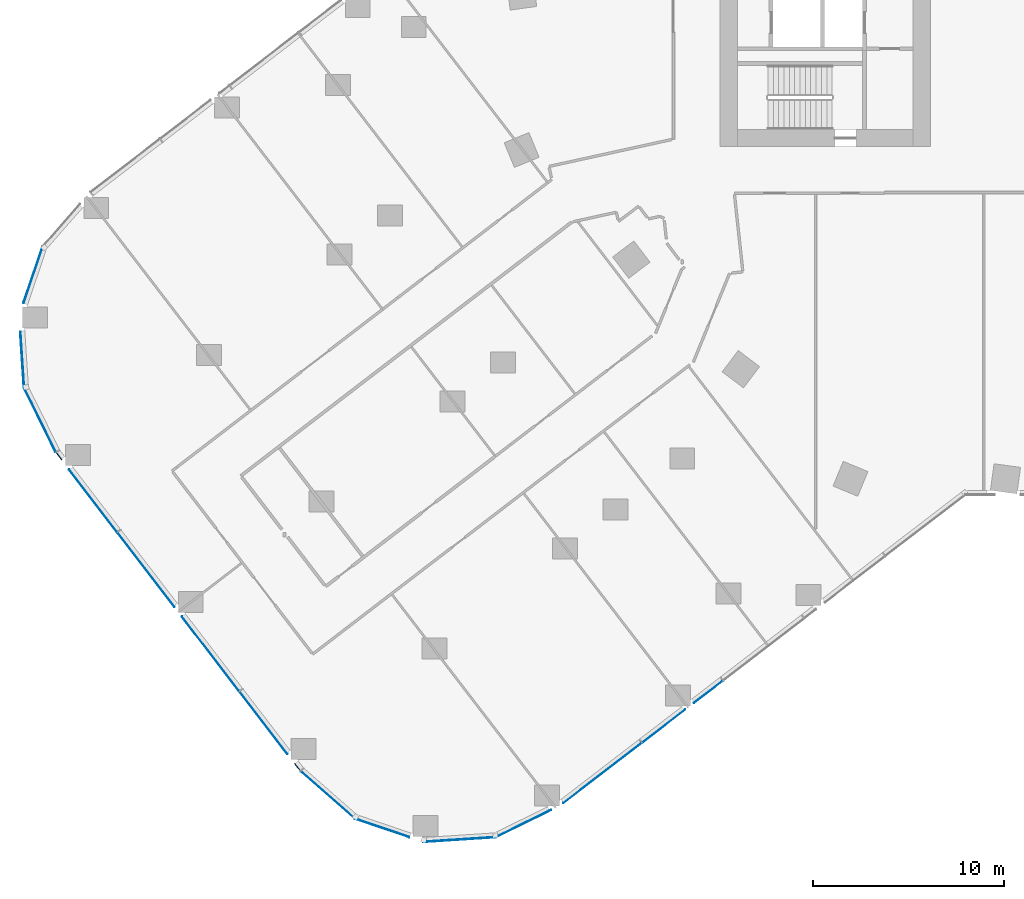
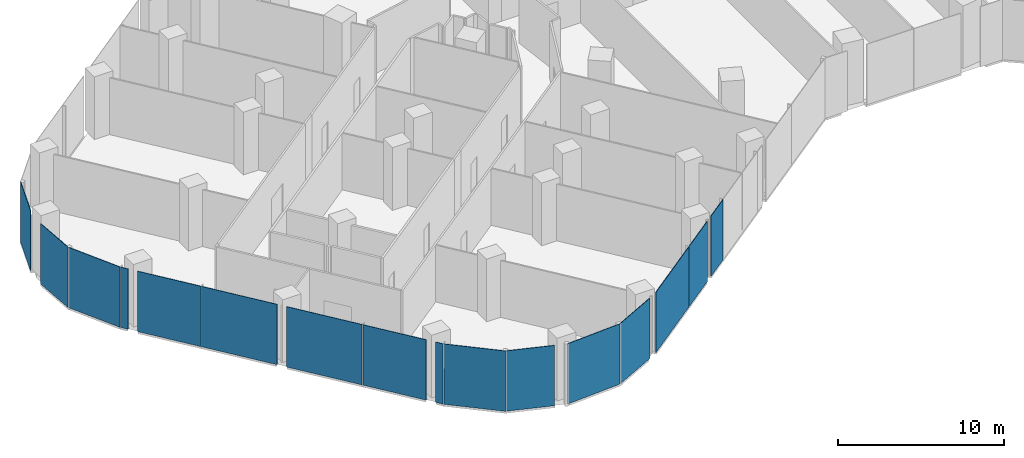
# One storey, part 15 of 30: 16 plates, 9 elements without a shape of their own.
"""IFC4 building model written with IfcOpenShell, lengths in metres."""

from ifc_helpers import new_model, si_unit, direction, frame, origin, origin_2d, place, context, subcontext, project, spatial, rectangle, extrude, material, layer, layer_set, type_object, element, aggregate, save


model = new_model("IFC4")

# Units and contexts
model_context = context("Model", 3, precision=1e-05, world=origin(), true_north=direction((0.0, 1.0)))
body_context = subcontext(model_context, "Body", "Model", "MODEL_VIEW")
ifc_project = project(units=[si_unit("LENGTHUNIT", "METRE"), si_unit("AREAUNIT", "SQUARE_METRE"), si_unit("VOLUMEUNIT", "CUBIC_METRE"), si_unit("PLANEANGLEUNIT", "RADIAN"), si_unit("MASSUNIT", "GRAM", prefix="KILO")], contexts=[model_context])

# Site, building, storey
site_placement = place(None, origin())
site = spatial("IfcSite", under=ifc_project, at=site_placement, CompositionType="ELEMENT")
building_placement = place(site_placement, origin())
building = spatial("IfcBuilding", under=site, at=building_placement, Name="Orlundy Tower", CompositionType="ELEMENT")
storey_placement = place(building_placement, frame((0.0, 0.0, 20.5)))
storey = spatial("IfcBuildingStorey", under=building, at=storey_placement, Name="L03", CompositionType="ELEMENT", Elevation=20.5)

# Curtain wall, plates
ifc_material_1 = material(Name="Aluminium bronze anodised", Category="aluminium")
curtain_wall_type = type_object("IfcCurtainWallType", Name="CW2 wall", PredefinedType="NOTDEFINED", material=ifc_material_1)
curtain_wall_1_placement = place(storey_placement, origin())
curtain_wall_1 = element("IfcCurtainWall", 1, at=curtain_wall_1_placement, inside=storey, type_object=curtain_wall_type, Name="CW2 run 02", PredefinedType="NOTDEFINED")
ifc_material_2 = material(Name="Tinted glass", Category="glass")
ifc_layer = layer(ifc_material_2, 0.0380859375)
ifc_layer_set = layer_set([ifc_layer], Name="CW2 glass panel 38")
plate_type = type_object("IfcPlateType", Name="CW2 glass panel 38", PredefinedType="CURTAIN_PANEL", material=ifc_layer_set)
plate_1_placement = place(storey_placement, frame((-19.620849609375, -40.556396484375, -0.25), z_axis=(0.0, 0.0, 1.0), x_axis=(-0.793352099111, -0.608763046543, 0.0)))
plate_1 = element("IfcPlate", 2, at=plate_1_placement, type_object=plate_type, Name="CW2 panel", PredefinedType="CURTAIN_PANEL", context=body_context, shape_type="SweptSolid", body=[
    extrude(rectangle(XDim=1.888671875, YDim=0.0380859375, at=origin_2d()), origin(), (0.0, 0.0, 1.0), 4.429931640625),
])
plate_2_placement = place(storey_placement, frame((-21.95703125, -42.34912109375, -0.25), z_axis=(0.0, 0.0, 1.0), x_axis=(-0.793352099111, -0.608763046543, 0.0)))
plate_2 = element("IfcPlate", 3, at=plate_2_placement, type_object=plate_type, Name="CW2 panel", PredefinedType="CURTAIN_PANEL", context=body_context, shape_type="SweptSolid", body=[
    extrude(rectangle(XDim=2.83544921875, YDim=0.0380859375, at=origin_2d()), origin(), (0.0, 0.0, 1.0), 4.429931640625),
])
plate_3_placement = place(storey_placement, frame((-25.171630859375, -44.815673828125, -0.25), z_axis=(0.0, 0.0, 1.0), x_axis=(-0.793352099111, -0.608763046543, 0.0)))
plate_3 = element("IfcPlate", 4, at=plate_3_placement, type_object=plate_type, Name="CW2 panel", PredefinedType="CURTAIN_PANEL", context=body_context, shape_type="SweptSolid", body=[
    extrude(rectangle(XDim=5.168701171875, YDim=0.0380859375, at=origin_2d()), origin(), (0.0, 0.0, 1.0), 4.429931640625),
])
aggregate(curtain_wall_1, [plate_1, plate_2, plate_3])

# Curtain wall, plate
curtain_wall_2_placement = place(storey_placement, origin())
curtain_wall_2 = element("IfcCurtainWall", 5, at=curtain_wall_2_placement, inside=storey, type_object=curtain_wall_type, Name="CW2 run 03", PredefinedType="NOTDEFINED")
plate_4_placement = place(storey_placement, frame((-29.3017578125, -47.455322265625, -0.25), z_axis=(0.0, 0.0, 1.0), x_axis=(-0.896841554905, -0.442351924824, 0.0)))
plate_4 = element("IfcPlate", 6, at=plate_4_placement, type_object=plate_type, Name="CW2 panel", PredefinedType="CURTAIN_PANEL", context=body_context, shape_type="SweptSolid", body=[
    extrude(rectangle(XDim=3.242919921875, YDim=0.0380859375, at=origin_2d()), origin(), (0.0, 0.0, 1.0), 4.429931640625),
])
aggregate(curtain_wall_2, [plate_4])

curtain_wall_3_placement = place(storey_placement, origin())
curtain_wall_3 = element("IfcCurtainWall", 7, at=curtain_wall_3_placement, inside=storey, type_object=curtain_wall_type, Name="CW2 run 04", PredefinedType="NOTDEFINED")
plate_5_placement = place(storey_placement, frame((-32.6513671875, -48.29638671875, -0.25), z_axis=(0.0, 0.0, 1.0), x_axis=(-0.997866755389, -0.065283523877, 0.0)))
plate_5 = element("IfcPlate", 8, at=plate_5_placement, type_object=plate_type, Name="CW2 panel", PredefinedType="CURTAIN_PANEL", context=body_context, shape_type="SweptSolid", body=[
    extrude(rectangle(XDim=3.798828125, YDim=0.0380859375, at=origin_2d()), origin(), (0.0, 0.0, 1.0), 4.429931640625),
])
aggregate(curtain_wall_3, [plate_5])

curtain_wall_4_placement = place(storey_placement, origin())
curtain_wall_4 = element("IfcCurtainWall", 9, at=curtain_wall_4_placement, inside=storey, type_object=curtain_wall_type, Name="CW2 run 05", PredefinedType="NOTDEFINED")
plate_6_placement = place(storey_placement, frame((-36.71533203125, -47.6845703125, -0.25), z_axis=(0.0, 0.0, 1.0), x_axis=(-0.946969904911, 0.32132226688, 0.0)))
plate_6 = element("IfcPlate", 10, at=plate_6_placement, type_object=plate_type, Name="CW2 panel", PredefinedType="CURTAIN_PANEL", context=body_context, shape_type="SweptSolid", body=[
    extrude(rectangle(XDim=3.016845703125, YDim=0.0380859375, at=origin_2d()), origin(), (0.0, 0.0, 1.0), 4.429931640625),
])
aggregate(curtain_wall_4, [plate_6])

curtain_wall_5_placement = place(storey_placement, origin())
curtain_wall_5 = element("IfcCurtainWall", 11, at=curtain_wall_5_placement, inside=storey, type_object=curtain_wall_type, Name="CW2 run 06", PredefinedType="NOTDEFINED")
plate_7_placement = place(storey_placement, frame((-39.5537109375, -45.963623046875, -0.25), z_axis=(0.0, 0.0, 1.0), x_axis=(-0.751857647447, 0.65932547196, 0.0)))
plate_7 = element("IfcPlate", 12, at=plate_7_placement, type_object=plate_type, Name="CW2 panel", PredefinedType="CURTAIN_PANEL", context=body_context, shape_type="SweptSolid", body=[
    extrude(rectangle(XDim=3.75048828125, YDim=0.0380859375, at=origin_2d()), origin(), (0.0, 0.0, 1.0), 4.429931640625),
])
aggregate(curtain_wall_5, [plate_7])

# Curtain wall, plates
curtain_wall_6_placement = place(storey_placement, origin())
curtain_wall_6 = element("IfcCurtainWall", 13, at=curtain_wall_6_placement, inside=storey, type_object=curtain_wall_type, Name="CW2 run 07", PredefinedType="NOTDEFINED")
plate_8_placement = place(storey_placement, frame((-41.146728515625, -44.496337890625, -0.25), z_axis=(0.0, 0.0, 1.0), x_axis=(-0.608748393046, 0.793363342967, 0.0)))
plate_8 = element("IfcPlate", 14, at=plate_8_placement, type_object=plate_type, Name="CW2 panel", PredefinedType="CURTAIN_PANEL", context=body_context, shape_type="SweptSolid", body=[
    extrude(rectangle(XDim=0.489990234375, YDim=0.0380859375, at=origin_2d()), origin(), (0.0, 0.0, 1.0), 4.429931640625),
])
plate_9_placement = place(storey_placement, frame((-42.925537109375, -42.17822265625, -0.25), z_axis=(0.0, 0.0, 1.0), x_axis=(-0.608748393046, 0.793363342967, 0.0)))
plate_9 = element("IfcPlate", 15, at=plate_9_placement, type_object=plate_type, Name="CW2 panel", PredefinedType="CURTAIN_PANEL", context=body_context, shape_type="SweptSolid", body=[
    extrude(rectangle(XDim=4.11181640625, YDim=0.0380859375, at=origin_2d()), origin(), (0.0, 0.0, 1.0), 4.429931640625),
])
plate_10_placement = place(storey_placement, frame((-45.704345703125, -38.556884765625, -0.25), z_axis=(0.0, 0.0, 1.0), x_axis=(-0.608748393046, 0.793363342967, 0.0)))
plate_10 = element("IfcPlate", 16, at=plate_10_placement, type_object=plate_type, Name="CW2 panel", PredefinedType="CURTAIN_PANEL", context=body_context, shape_type="SweptSolid", body=[
    extrude(rectangle(XDim=4.917724609375, YDim=0.0380859375, at=origin_2d()), origin(), (0.0, 0.0, 1.0), 4.429931640625),
])
plate_11_placement = place(storey_placement, frame((-49.073974609375, -34.1650390625, -0.25), z_axis=(0.0, 0.0, 1.0), x_axis=(-0.608748393046, 0.793363342967, 0.0)))
plate_11 = element("IfcPlate", 17, at=plate_11_placement, type_object=plate_type, Name="CW2 panel", PredefinedType="CURTAIN_PANEL", context=body_context, shape_type="SweptSolid", body=[
    extrude(rectangle(XDim=4.911865234375, YDim=0.0380859375, at=origin_2d()), origin(), (0.0, 0.0, 1.0), 4.429931640625),
])
plate_12_placement = place(storey_placement, frame((-51.8525390625, -30.5439453125, -0.25), z_axis=(0.0, 0.0, 1.0), x_axis=(-0.608748393046, 0.793363342967, 0.0)))
plate_12 = element("IfcPlate", 18, at=plate_12_placement, type_object=plate_type, Name="CW2 panel", PredefinedType="CURTAIN_PANEL", context=body_context, shape_type="SweptSolid", body=[
    extrude(rectangle(XDim=4.11669921875, YDim=0.0380859375, at=origin_2d()), origin(), (0.0, 0.0, 1.0), 4.429931640625),
])
plate_13_placement = place(storey_placement, frame((-53.630859375, -28.226318359375, -0.25), z_axis=(0.0, 0.0, 1.0), x_axis=(-0.608748393046, 0.793363342967, 0.0)))
plate_13 = element("IfcPlate", 19, at=plate_13_placement, type_object=plate_type, Name="CW2 panel", PredefinedType="CURTAIN_PANEL", context=body_context, shape_type="SweptSolid", body=[
    extrude(rectangle(XDim=0.48583984375, YDim=0.0380859375, at=origin_2d()), origin(), (0.0, 0.0, 1.0), 4.429931640625),
])
aggregate(curtain_wall_6, [plate_8, plate_9, plate_10, plate_11, plate_12, plate_13])

# Curtain wall, plate
curtain_wall_7_placement = place(storey_placement, origin())
curtain_wall_7 = element("IfcCurtainWall", 20, at=curtain_wall_7_placement, inside=storey, type_object=curtain_wall_type, Name="CW2 run 08", PredefinedType="NOTDEFINED")
plate_14_placement = place(storey_placement, frame((-54.63427734375, -26.3095703125, -0.25), z_axis=(0.0, 0.0, 1.0), x_axis=(-0.442241939743, 0.896895794801, 0.0)))
plate_14 = element("IfcPlate", 21, at=plate_14_placement, type_object=plate_type, Name="CW2 panel", PredefinedType="CURTAIN_PANEL", context=body_context, shape_type="SweptSolid", body=[
    extrude(rectangle(XDim=3.749755859375, YDim=0.0380859375, at=origin_2d()), origin(), (0.0, 0.0, 1.0), 4.429931640625),
])
aggregate(curtain_wall_7, [plate_14])

curtain_wall_8_placement = place(storey_placement, origin())
curtain_wall_8 = element("IfcCurtainWall", 22, at=curtain_wall_8_placement, inside=storey, type_object=curtain_wall_type, Name="CW2 run 09", PredefinedType="NOTDEFINED")
plate_15_placement = place(storey_placement, frame((-55.559326171875, -23.161865234375, -0.25), z_axis=(0.0, 0.0, 1.0), x_axis=(-0.065283523877, 0.997866755389, 0.0)))
plate_15 = element("IfcPlate", 23, at=plate_15_placement, type_object=plate_type, Name="CW2 panel", PredefinedType="CURTAIN_PANEL", context=body_context, shape_type="SweptSolid", body=[
    extrude(rectangle(XDim=2.938232421875, YDim=0.0380859375, at=origin_2d()), origin(), (0.0, 0.0, 1.0), 4.429931640625),
])
aggregate(curtain_wall_8, [plate_15])

curtain_wall_9_placement = place(storey_placement, origin())
curtain_wall_9 = element("IfcCurtainWall", 24, at=curtain_wall_9_placement, inside=storey, type_object=curtain_wall_type, Name="CW2 run 010", PredefinedType="NOTDEFINED")
plate_16_placement = place(storey_placement, frame((-54.992431640625, -18.718017578125, -0.25), z_axis=(0.0, 0.0, 1.0), x_axis=(0.32132226688, 0.946969904911, 0.0)))
plate_16 = element("IfcPlate", 25, at=plate_16_placement, type_object=plate_type, Name="CW2 panel", PredefinedType="CURTAIN_PANEL", context=body_context, shape_type="SweptSolid", body=[
    extrude(rectangle(XDim=3.121337890625, YDim=0.0380859375, at=origin_2d()), origin(), (0.0, 0.0, 1.0), 4.429931640625),
])
aggregate(curtain_wall_9, [plate_16])

save(model, "model.ifc")
